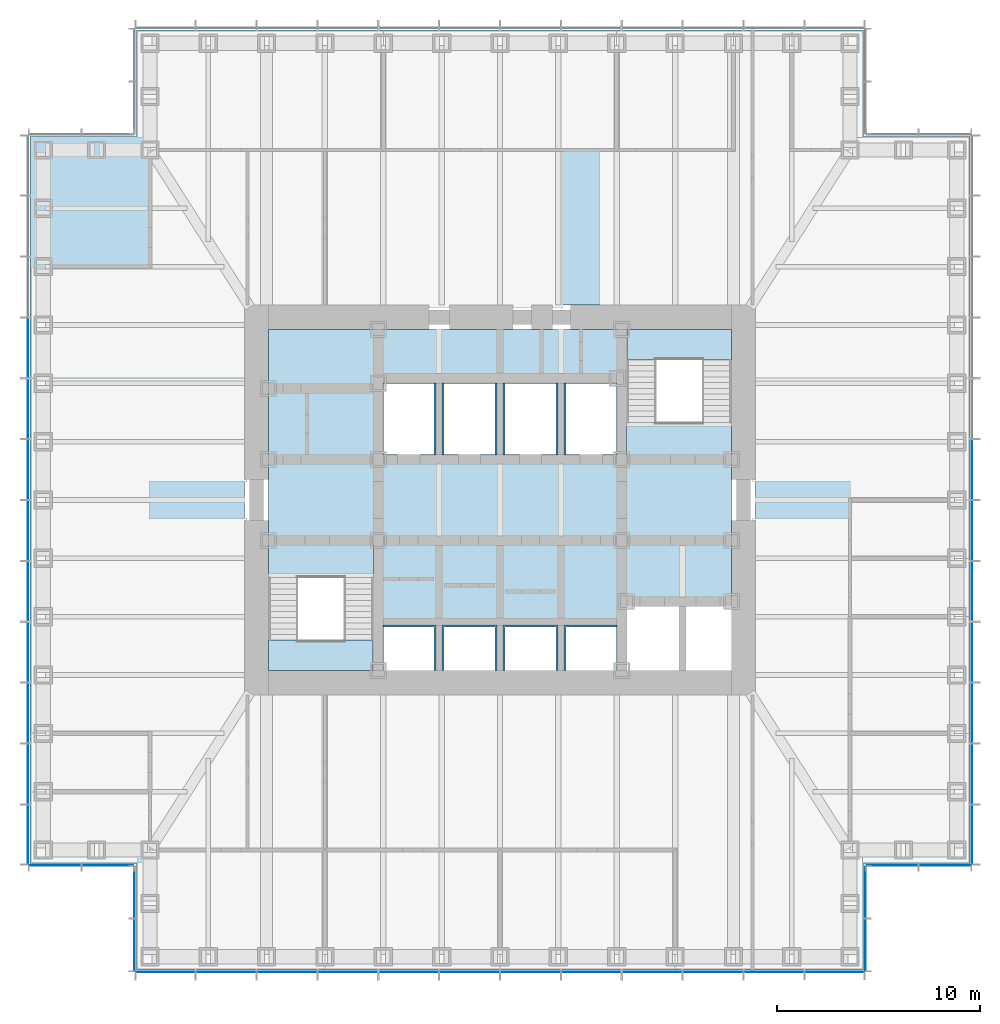
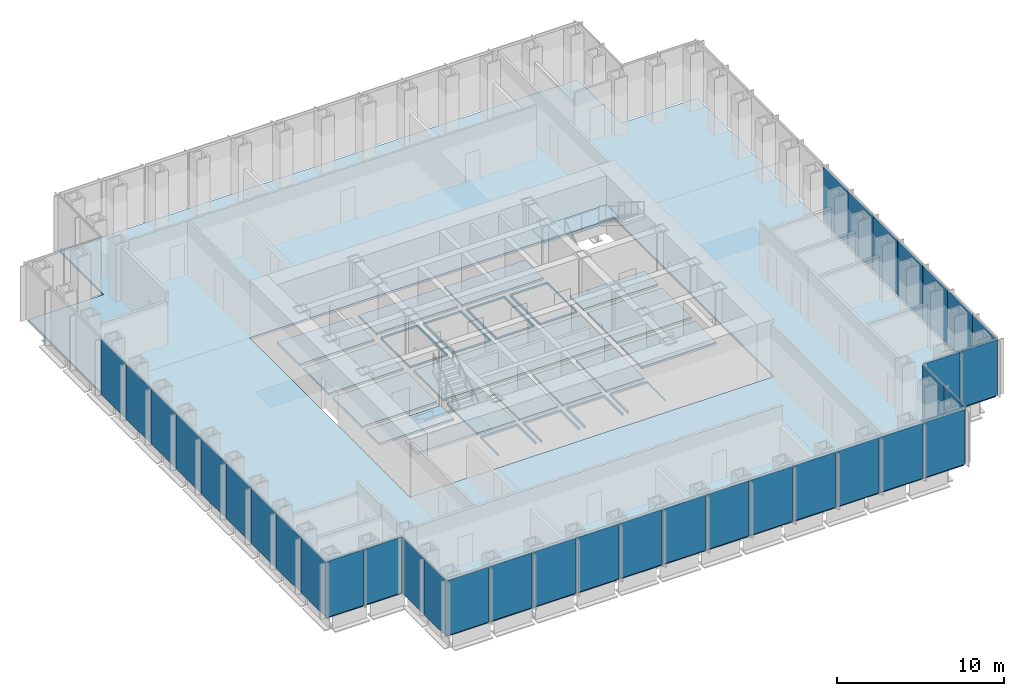
# One storey, part 7 of 17: 36 plates, 25 slabs, 9 elements without a shape of their own.
"""IFC4 building model written with IfcOpenShell, lengths in metres."""

from ifc_helpers import new_model, si_unit, direction, frame, origin, origin_2d, place, context, subcontext, project, spatial, polyline, rectangle, outline, extrude, material, layer, layer_set, type_object, element, aggregate, save


model = new_model("IFC4")

# Units and contexts
model_context = context("Model", 3, precision=1e-05, world=origin(), true_north=direction((0.0, 1.0)))
body_context = subcontext(model_context, "Body", "Model", "MODEL_VIEW")
ifc_project = project(units=[si_unit("LENGTHUNIT", "METRE"), si_unit("AREAUNIT", "SQUARE_METRE"), si_unit("VOLUMEUNIT", "CUBIC_METRE"), si_unit("PLANEANGLEUNIT", "RADIAN"), si_unit("MASSUNIT", "GRAM", prefix="KILO")], contexts=[model_context])

# Site, building, storey
site_placement = place(None, origin())
site = spatial("IfcSite", under=ifc_project, at=site_placement, CompositionType="ELEMENT")
building_placement = place(site_placement, origin())
building = spatial("IfcBuilding", under=site, at=building_placement, Name="Daluyong Arena Tower", CompositionType="ELEMENT")
storey_placement = place(building_placement, frame((0.0, 0.0, 171.10009765625)))
storey = spatial("IfcBuildingStorey", under=building, at=storey_placement, Name="L38", CompositionType="ELEMENT", Elevation=171.10009765625)

# Curtain wall, plates
ifc_material_1 = material(Name="Bronze anodised aluminium and glass", Category="aluminium")
curtain_wall_type_1 = type_object("IfcCurtainWallType", Name="Curtain wall CW2", PredefinedType="USERDEFINED", material=ifc_material_1)
curtain_wall_1_placement = place(storey_placement, origin())
curtain_wall_1 = element("IfcCurtainWall", 1, at=curtain_wall_1_placement, inside=storey, type_object=curtain_wall_type_1, Name="curtain wall L38 S", ObjectType="UNITISED CURTAIN WALL", PredefinedType="USERDEFINED")
ifc_material_2 = material(Name="Tinted double glazed unit", Category="glass")
ifc_layer_1 = layer(ifc_material_2, 0.031982421875)
ifc_layer_set_1 = layer_set([ifc_layer_1], Name="Tinted double glazed unit")
plate_type_1 = type_object("IfcPlateType", Name="CW2 panel 32", PredefinedType="CURTAIN_PANEL", material=ifc_layer_set_1)
plate_1_placement = place(storey_placement, frame((39.52001953125, 56.75, 0.0), z_axis=(0.0, 0.0, 1.0), x_axis=(1.0, 0.0, 0.0)))
plate_1 = element("IfcPlate", 2, at=plate_1_placement, type_object=plate_type_1, Name="curtain wall L38 S panel 1", PredefinedType="CURTAIN_PANEL", context=body_context, shape_type="SweptSolid", body=[
    extrude(rectangle(XDim=2.8798828125, YDim=0.031982421875, at=origin_2d()), origin(), (0.0, 0.0, 1.0), 4.02001953125),
])
plate_2_placement = place(storey_placement, frame((42.5, 56.75, 0.0), z_axis=(0.0, 0.0, 1.0), x_axis=(1.0, 0.0, 0.0)))
plate_2 = element("IfcPlate", 3, at=plate_2_placement, type_object=plate_type_1, Name="curtain wall L38 S panel 2", PredefinedType="CURTAIN_PANEL", context=body_context, shape_type="SweptSolid", body=[
    extrude(rectangle(XDim=2.919921875, YDim=0.031982421875, at=origin_2d()), origin(), (0.0, 0.0, 1.0), 4.02001953125),
])
plate_3_placement = place(storey_placement, frame((45.5, 56.75, 0.0), z_axis=(0.0, 0.0, 1.0), x_axis=(1.0, 0.0, 0.0)))
plate_3 = element("IfcPlate", 4, at=plate_3_placement, type_object=plate_type_1, Name="curtain wall L38 S panel 3", PredefinedType="CURTAIN_PANEL", context=body_context, shape_type="SweptSolid", body=[
    extrude(rectangle(XDim=2.919921875, YDim=0.031982421875, at=origin_2d()), origin(), (0.0, 0.0, 1.0), 4.02001953125),
])
plate_4_placement = place(storey_placement, frame((48.5, 56.75, 0.0), z_axis=(0.0, 0.0, 1.0), x_axis=(1.0, 0.0, 0.0)))
plate_4 = element("IfcPlate", 5, at=plate_4_placement, type_object=plate_type_1, Name="curtain wall L38 S panel 4", PredefinedType="CURTAIN_PANEL", context=body_context, shape_type="SweptSolid", body=[
    extrude(rectangle(XDim=2.919921875, YDim=0.031982421875, at=origin_2d()), origin(), (0.0, 0.0, 1.0), 4.02001953125),
])
plate_5_placement = place(storey_placement, frame((51.5, 56.75, 0.0), z_axis=(0.0, 0.0, 1.0), x_axis=(1.0, 0.0, 0.0)))
plate_5 = element("IfcPlate", 6, at=plate_5_placement, type_object=plate_type_1, Name="curtain wall L38 S panel 5", PredefinedType="CURTAIN_PANEL", context=body_context, shape_type="SweptSolid", body=[
    extrude(rectangle(XDim=2.919921875, YDim=0.031982421875, at=origin_2d()), origin(), (0.0, 0.0, 1.0), 4.02001953125),
])
plate_6_placement = place(storey_placement, frame((54.5, 56.75, 0.0), z_axis=(0.0, 0.0, 1.0), x_axis=(1.0, 0.0, 0.0)))
plate_6 = element("IfcPlate", 7, at=plate_6_placement, type_object=plate_type_1, Name="curtain wall L38 S panel 6", PredefinedType="CURTAIN_PANEL", context=body_context, shape_type="SweptSolid", body=[
    extrude(rectangle(XDim=2.919921875, YDim=0.031982421875, at=origin_2d()), origin(), (0.0, 0.0, 1.0), 4.02001953125),
])
plate_7_placement = place(storey_placement, frame((57.5, 56.75, 0.0), z_axis=(0.0, 0.0, 1.0), x_axis=(1.0, 0.0, 0.0)))
plate_7 = element("IfcPlate", 8, at=plate_7_placement, type_object=plate_type_1, Name="curtain wall L38 S panel 7", PredefinedType="CURTAIN_PANEL", context=body_context, shape_type="SweptSolid", body=[
    extrude(rectangle(XDim=2.919921875, YDim=0.031982421875, at=origin_2d()), origin(), (0.0, 0.0, 1.0), 4.02001953125),
])
plate_8_placement = place(storey_placement, frame((60.5, 56.75, 0.0), z_axis=(0.0, 0.0, 1.0), x_axis=(1.0, 0.0, 0.0)))
plate_8 = element("IfcPlate", 9, at=plate_8_placement, type_object=plate_type_1, Name="curtain wall L38 S panel 8", PredefinedType="CURTAIN_PANEL", context=body_context, shape_type="SweptSolid", body=[
    extrude(rectangle(XDim=2.919921875, YDim=0.031982421875, at=origin_2d()), origin(), (0.0, 0.0, 1.0), 4.02001953125),
])
plate_9_placement = place(storey_placement, frame((63.5, 56.75, 0.0), z_axis=(0.0, 0.0, 1.0), x_axis=(1.0, 0.0, 0.0)))
plate_9 = element("IfcPlate", 10, at=plate_9_placement, type_object=plate_type_1, Name="curtain wall L38 S panel 9", PredefinedType="CURTAIN_PANEL", context=body_context, shape_type="SweptSolid", body=[
    extrude(rectangle(XDim=2.919921875, YDim=0.031982421875, at=origin_2d()), origin(), (0.0, 0.0, 1.0), 4.02001953125),
])
plate_10_placement = place(storey_placement, frame((66.5, 56.75, 0.0), z_axis=(0.0, 0.0, 1.0), x_axis=(1.0, 0.0, 0.0)))
plate_10 = element("IfcPlate", 11, at=plate_10_placement, type_object=plate_type_1, Name="curtain wall L38 S panel 10", PredefinedType="CURTAIN_PANEL", context=body_context, shape_type="SweptSolid", body=[
    extrude(rectangle(XDim=2.919921875, YDim=0.031982421875, at=origin_2d()), origin(), (0.0, 0.0, 1.0), 4.02001953125),
])
plate_11_placement = place(storey_placement, frame((69.5, 56.75, 0.0), z_axis=(0.0, 0.0, 1.0), x_axis=(1.0, 0.0, 0.0)))
plate_11 = element("IfcPlate", 12, at=plate_11_placement, type_object=plate_type_1, Name="curtain wall L38 S panel 11", PredefinedType="CURTAIN_PANEL", context=body_context, shape_type="SweptSolid", body=[
    extrude(rectangle(XDim=2.919921875, YDim=0.031982421875, at=origin_2d()), origin(), (0.0, 0.0, 1.0), 4.02001953125),
])
plate_12_placement = place(storey_placement, frame((72.47998046875, 56.75, 0.0), z_axis=(0.0, 0.0, 1.0), x_axis=(1.0, 0.0, 0.0)))
plate_12 = element("IfcPlate", 13, at=plate_12_placement, type_object=plate_type_1, Name="curtain wall L38 S panel 12", PredefinedType="CURTAIN_PANEL", context=body_context, shape_type="SweptSolid", body=[
    extrude(rectangle(XDim=2.8798828125, YDim=0.031982421875, at=origin_2d()), origin(), (0.0, 0.0, 1.0), 4.02001953125),
])
aggregate(curtain_wall_1, [plate_1, plate_2, plate_3, plate_4, plate_5, plate_6, plate_7, plate_8, plate_9, plate_10, plate_11, plate_12])

curtain_wall_2_placement = place(storey_placement, origin())
curtain_wall_2 = element("IfcCurtainWall", 14, at=curtain_wall_2_placement, inside=storey, type_object=curtain_wall_type_1, Name="curtain wall L38 E", ObjectType="UNITISED CURTAIN WALL", PredefinedType="USERDEFINED")
plate_13_placement = place(storey_placement, frame((79.25, 63.52001953125, 0.0), z_axis=(0.0, 0.0, 1.0), x_axis=(0.0, 1.0, 0.0)))
plate_13 = element("IfcPlate", 15, at=plate_13_placement, type_object=plate_type_1, Name="curtain wall L38 E panel 1", PredefinedType="CURTAIN_PANEL", context=body_context, shape_type="SweptSolid", body=[
    extrude(rectangle(XDim=2.8798828125, YDim=0.031982421875, at=origin_2d()), origin(), (0.0, 0.0, 1.0), 4.02001953125),
])
plate_14_placement = place(storey_placement, frame((79.25, 66.5, 0.0), z_axis=(0.0, 0.0, 1.0), x_axis=(0.0, 1.0, 0.0)))
plate_14 = element("IfcPlate", 16, at=plate_14_placement, type_object=plate_type_1, Name="curtain wall L38 E panel 2", PredefinedType="CURTAIN_PANEL", context=body_context, shape_type="SweptSolid", body=[
    extrude(rectangle(XDim=2.919921875, YDim=0.031982421875, at=origin_2d()), origin(), (0.0, 0.0, 1.0), 4.02001953125),
])
plate_15_placement = place(storey_placement, frame((79.25, 69.5, 0.0), z_axis=(0.0, 0.0, 1.0), x_axis=(0.0, 1.0, 0.0)))
plate_15 = element("IfcPlate", 17, at=plate_15_placement, type_object=plate_type_1, Name="curtain wall L38 E panel 3", PredefinedType="CURTAIN_PANEL", context=body_context, shape_type="SweptSolid", body=[
    extrude(rectangle(XDim=2.919921875, YDim=0.031982421875, at=origin_2d()), origin(), (0.0, 0.0, 1.0), 4.02001953125),
])
plate_16_placement = place(storey_placement, frame((79.25, 72.5, 0.0), z_axis=(0.0, 0.0, 1.0), x_axis=(0.0, 1.0, 0.0)))
plate_16 = element("IfcPlate", 18, at=plate_16_placement, type_object=plate_type_1, Name="curtain wall L38 E panel 4", PredefinedType="CURTAIN_PANEL", context=body_context, shape_type="SweptSolid", body=[
    extrude(rectangle(XDim=2.919921875, YDim=0.031982421875, at=origin_2d()), origin(), (0.0, 0.0, 1.0), 4.02001953125),
])
plate_17_placement = place(storey_placement, frame((79.25, 75.5, 0.0), z_axis=(0.0, 0.0, 1.0), x_axis=(0.0, 1.0, 0.0)))
plate_17 = element("IfcPlate", 19, at=plate_17_placement, type_object=plate_type_1, Name="curtain wall L38 E panel 5", PredefinedType="CURTAIN_PANEL", context=body_context, shape_type="SweptSolid", body=[
    extrude(rectangle(XDim=2.919921875, YDim=0.031982421875, at=origin_2d()), origin(), (0.0, 0.0, 1.0), 4.02001953125),
])
plate_18_placement = place(storey_placement, frame((79.25, 78.5, 0.0), z_axis=(0.0, 0.0, 1.0), x_axis=(0.0, 1.0, 0.0)))
plate_18 = element("IfcPlate", 20, at=plate_18_placement, type_object=plate_type_1, Name="curtain wall L38 E panel 6", PredefinedType="CURTAIN_PANEL", context=body_context, shape_type="SweptSolid", body=[
    extrude(rectangle(XDim=2.919921875, YDim=0.031982421875, at=origin_2d()), origin(), (0.0, 0.0, 1.0), 4.02001953125),
])
plate_19_placement = place(storey_placement, frame((79.25, 81.5, 0.0), z_axis=(0.0, 0.0, 1.0), x_axis=(0.0, 1.0, 0.0)))
plate_19 = element("IfcPlate", 21, at=plate_19_placement, type_object=plate_type_1, Name="curtain wall L38 E panel 7", PredefinedType="CURTAIN_PANEL", context=body_context, shape_type="SweptSolid", body=[
    extrude(rectangle(XDim=2.919921875, YDim=0.031982421875, at=origin_2d()), origin(), (0.0, 0.0, 1.0), 4.02001953125),
])
aggregate(curtain_wall_2, [plate_13, plate_14, plate_15, plate_16, plate_17, plate_18, plate_19])

curtain_wall_3_placement = place(storey_placement, origin())
curtain_wall_3 = element("IfcCurtainWall", 22, at=curtain_wall_3_placement, inside=storey, type_object=curtain_wall_type_1, Name="curtain wall L38 W", ObjectType="UNITISED CURTAIN WALL", PredefinedType="USERDEFINED")
plate_20_placement = place(storey_placement, frame((32.75, 87.5, 0.0), z_axis=(0.0, 0.0, 1.0), x_axis=(0.0, -1.0, 0.0)))
plate_20 = element("IfcPlate", 23, at=plate_20_placement, type_object=plate_type_1, Name="curtain wall L38 W panel 4", PredefinedType="CURTAIN_PANEL", context=body_context, shape_type="SweptSolid", body=[
    extrude(rectangle(XDim=2.919921875, YDim=0.031982421875, at=origin_2d()), origin(), (0.0, 0.0, 1.0), 4.02001953125),
])
plate_21_placement = place(storey_placement, frame((32.75, 84.5, 0.0), z_axis=(0.0, 0.0, 1.0), x_axis=(0.0, -1.0, 0.0)))
plate_21 = element("IfcPlate", 24, at=plate_21_placement, type_object=plate_type_1, Name="curtain wall L38 W panel 5", PredefinedType="CURTAIN_PANEL", context=body_context, shape_type="SweptSolid", body=[
    extrude(rectangle(XDim=2.919921875, YDim=0.031982421875, at=origin_2d()), origin(), (0.0, 0.0, 1.0), 4.02001953125),
])
plate_22_placement = place(storey_placement, frame((32.75, 81.5, 0.0), z_axis=(0.0, 0.0, 1.0), x_axis=(0.0, -1.0, 0.0)))
plate_22 = element("IfcPlate", 25, at=plate_22_placement, type_object=plate_type_1, Name="curtain wall L38 W panel 6", PredefinedType="CURTAIN_PANEL", context=body_context, shape_type="SweptSolid", body=[
    extrude(rectangle(XDim=2.919921875, YDim=0.031982421875, at=origin_2d()), origin(), (0.0, 0.0, 1.0), 4.02001953125),
])
plate_23_placement = place(storey_placement, frame((32.75, 78.5, 0.0), z_axis=(0.0, 0.0, 1.0), x_axis=(0.0, -1.0, 0.0)))
plate_23 = element("IfcPlate", 26, at=plate_23_placement, type_object=plate_type_1, Name="curtain wall L38 W panel 7", PredefinedType="CURTAIN_PANEL", context=body_context, shape_type="SweptSolid", body=[
    extrude(rectangle(XDim=2.919921875, YDim=0.031982421875, at=origin_2d()), origin(), (0.0, 0.0, 1.0), 4.02001953125),
])
plate_24_placement = place(storey_placement, frame((32.75, 75.5, 0.0), z_axis=(0.0, 0.0, 1.0), x_axis=(0.0, -1.0, 0.0)))
plate_24 = element("IfcPlate", 27, at=plate_24_placement, type_object=plate_type_1, Name="curtain wall L38 W panel 8", PredefinedType="CURTAIN_PANEL", context=body_context, shape_type="SweptSolid", body=[
    extrude(rectangle(XDim=2.919921875, YDim=0.031982421875, at=origin_2d()), origin(), (0.0, 0.0, 1.0), 4.02001953125),
])
plate_25_placement = place(storey_placement, frame((32.75, 72.5, 0.0), z_axis=(0.0, 0.0, 1.0), x_axis=(0.0, -1.0, 0.0)))
plate_25 = element("IfcPlate", 28, at=plate_25_placement, type_object=plate_type_1, Name="curtain wall L38 W panel 9", PredefinedType="CURTAIN_PANEL", context=body_context, shape_type="SweptSolid", body=[
    extrude(rectangle(XDim=2.919921875, YDim=0.031982421875, at=origin_2d()), origin(), (0.0, 0.0, 1.0), 4.02001953125),
])
plate_26_placement = place(storey_placement, frame((32.75, 69.5, 0.0), z_axis=(0.0, 0.0, 1.0), x_axis=(0.0, -1.0, 0.0)))
plate_26 = element("IfcPlate", 29, at=plate_26_placement, type_object=plate_type_1, Name="curtain wall L38 W panel 10", PredefinedType="CURTAIN_PANEL", context=body_context, shape_type="SweptSolid", body=[
    extrude(rectangle(XDim=2.919921875, YDim=0.031982421875, at=origin_2d()), origin(), (0.0, 0.0, 1.0), 4.02001953125),
])
plate_27_placement = place(storey_placement, frame((32.75, 66.5, 0.0), z_axis=(0.0, 0.0, 1.0), x_axis=(0.0, -1.0, 0.0)))
plate_27 = element("IfcPlate", 30, at=plate_27_placement, type_object=plate_type_1, Name="curtain wall L38 W panel 11", PredefinedType="CURTAIN_PANEL", context=body_context, shape_type="SweptSolid", body=[
    extrude(rectangle(XDim=2.919921875, YDim=0.031982421875, at=origin_2d()), origin(), (0.0, 0.0, 1.0), 4.02001953125),
])
plate_28_placement = place(storey_placement, frame((32.75, 63.52001953125, 0.0), z_axis=(0.0, 0.0, 1.0), x_axis=(0.0, -1.0, 0.0)))
plate_28 = element("IfcPlate", 31, at=plate_28_placement, type_object=plate_type_1, Name="curtain wall L38 W panel 12", PredefinedType="CURTAIN_PANEL", context=body_context, shape_type="SweptSolid", body=[
    extrude(rectangle(XDim=2.8798828125, YDim=0.031982421875, at=origin_2d()), origin(), (0.0, 0.0, 1.0), 4.02001953125),
])
aggregate(curtain_wall_3, [plate_20, plate_21, plate_22, plate_23, plate_24, plate_25, plate_26, plate_27, plate_28])

ifc_material_3 = material(Name="Bronze anodised aluminium and glass", Category="aluminium")
curtain_wall_type_2 = type_object("IfcCurtainWallType", Name="Curtain wall CW7", PredefinedType="USERDEFINED", material=ifc_material_3)
curtain_wall_4_placement = place(storey_placement, origin())
curtain_wall_4 = element("IfcCurtainWall", 32, at=curtain_wall_4_placement, inside=storey, type_object=curtain_wall_type_2, Name="curtain wall L38 SE-E", ObjectType="UNITISED CURTAIN WALL", PredefinedType="USERDEFINED")
ifc_material_4 = material(Name="Tinted double glazed unit", Category="glass")
ifc_layer_2 = layer(ifc_material_4, 0.028076171875)
ifc_layer_set_2 = layer_set([ifc_layer_2], Name="Tinted double glazed unit")
plate_type_2 = type_object("IfcPlateType", Name="CW7 panel 28", PredefinedType="CURTAIN_PANEL", material=ifc_layer_set_2)
plate_29_placement = place(storey_placement, frame((74.0, 58.077392578125, -0.000244140625), z_axis=(0.0, 0.0, 1.0), x_axis=(0.0, 1.0, 0.0)))
plate_29 = element("IfcPlate", 33, at=plate_29_placement, type_object=plate_type_2, Name="curtain wall L38 SE-E panel 1", PredefinedType="CURTAIN_PANEL", context=body_context, shape_type="SweptSolid", body=[
    extrude(rectangle(XDim=2.534912109375, YDim=0.028076171875, at=origin_2d()), origin(), (0.0, 0.0, 1.0), 4.080078125),
])
plate_30_placement = place(storey_placement, frame((74.0, 60.672607421875, -0.000244140625), z_axis=(0.0, 0.0, 1.0), x_axis=(0.0, 1.0, 0.0)))
plate_30 = element("IfcPlate", 34, at=plate_30_placement, type_object=plate_type_2, Name="curtain wall L38 SE-E panel 2", PredefinedType="CURTAIN_PANEL", context=body_context, shape_type="SweptSolid", body=[
    extrude(rectangle(XDim=2.534912109375, YDim=0.028076171875, at=origin_2d()), origin(), (0.0, 0.0, 1.0), 4.080078125),
])
aggregate(curtain_wall_4, [plate_29, plate_30])

curtain_wall_5_placement = place(storey_placement, origin())
curtain_wall_5 = element("IfcCurtainWall", 35, at=curtain_wall_5_placement, inside=storey, type_object=curtain_wall_type_2, Name="curtain wall L38 SE-S", ObjectType="UNITISED CURTAIN WALL", PredefinedType="USERDEFINED")
plate_31_placement = place(storey_placement, frame((75.327392578125, 62.0, -0.000244140625), z_axis=(0.0, 0.0, 1.0), x_axis=(1.0, 0.0, 0.0)))
plate_31 = element("IfcPlate", 36, at=plate_31_placement, type_object=plate_type_2, Name="curtain wall L38 SE-S panel 1", PredefinedType="CURTAIN_PANEL", context=body_context, shape_type="SweptSolid", body=[
    extrude(rectangle(XDim=2.534912109375, YDim=0.028076171875, at=origin_2d()), origin(), (0.0, 0.0, 1.0), 4.080078125),
])
plate_32_placement = place(storey_placement, frame((77.922607421875, 62.0, -0.000244140625), z_axis=(0.0, 0.0, 1.0), x_axis=(1.0, 0.0, 0.0)))
plate_32 = element("IfcPlate", 37, at=plate_32_placement, type_object=plate_type_2, Name="curtain wall L38 SE-S panel 2", PredefinedType="CURTAIN_PANEL", context=body_context, shape_type="SweptSolid", body=[
    extrude(rectangle(XDim=2.534912109375, YDim=0.028076171875, at=origin_2d()), origin(), (0.0, 0.0, 1.0), 4.080078125),
])
aggregate(curtain_wall_5, [plate_31, plate_32])

curtain_wall_6_placement = place(storey_placement, origin())
curtain_wall_6 = element("IfcCurtainWall", 38, at=curtain_wall_6_placement, inside=storey, type_object=curtain_wall_type_2, Name="curtain wall L38 SW-S", ObjectType="UNITISED CURTAIN WALL", PredefinedType="USERDEFINED")
plate_33_placement = place(storey_placement, frame((34.077392578125, 62.0, -0.000244140625), z_axis=(0.0, 0.0, 1.0), x_axis=(1.0, 0.0, 0.0)))
plate_33 = element("IfcPlate", 39, at=plate_33_placement, type_object=plate_type_2, Name="curtain wall L38 SW-S panel 1", PredefinedType="CURTAIN_PANEL", context=body_context, shape_type="SweptSolid", body=[
    extrude(rectangle(XDim=2.534912109375, YDim=0.028076171875, at=origin_2d()), origin(), (0.0, 0.0, 1.0), 4.080078125),
])
plate_34_placement = place(storey_placement, frame((36.672607421875, 62.0, -0.000244140625), z_axis=(0.0, 0.0, 1.0), x_axis=(1.0, 0.0, 0.0)))
plate_34 = element("IfcPlate", 40, at=plate_34_placement, type_object=plate_type_2, Name="curtain wall L38 SW-S panel 2", PredefinedType="CURTAIN_PANEL", context=body_context, shape_type="SweptSolid", body=[
    extrude(rectangle(XDim=2.534912109375, YDim=0.028076171875, at=origin_2d()), origin(), (0.0, 0.0, 1.0), 4.080078125),
])
aggregate(curtain_wall_6, [plate_33, plate_34])

curtain_wall_7_placement = place(storey_placement, origin())
curtain_wall_7 = element("IfcCurtainWall", 41, at=curtain_wall_7_placement, inside=storey, type_object=curtain_wall_type_2, Name="curtain wall L38 SW-W", ObjectType="UNITISED CURTAIN WALL", PredefinedType="USERDEFINED")
plate_35_placement = place(storey_placement, frame((38.0, 60.672607421875, -0.000244140625), z_axis=(0.0, 0.0, 1.0), x_axis=(0.0, -1.0, 0.0)))
plate_35 = element("IfcPlate", 42, at=plate_35_placement, type_object=plate_type_2, Name="curtain wall L38 SW-W panel 1", PredefinedType="CURTAIN_PANEL", context=body_context, shape_type="SweptSolid", body=[
    extrude(rectangle(XDim=2.534912109375, YDim=0.028076171875, at=origin_2d()), origin(), (0.0, 0.0, 1.0), 4.080078125),
])
plate_36_placement = place(storey_placement, frame((38.0, 58.077392578125, -0.000244140625), z_axis=(0.0, 0.0, 1.0), x_axis=(0.0, -1.0, 0.0)))
plate_36 = element("IfcPlate", 43, at=plate_36_placement, type_object=plate_type_2, Name="curtain wall L38 SW-W panel 2", PredefinedType="CURTAIN_PANEL", context=body_context, shape_type="SweptSolid", body=[
    extrude(rectangle(XDim=2.534912109375, YDim=0.028076171875, at=origin_2d()), origin(), (0.0, 0.0, 1.0), 4.080078125),
])
aggregate(curtain_wall_7, [plate_35, plate_36])

# Stair, slab
ifc_material_5 = material(Name="Concrete fc' 35 MPa", Category="concrete")
stair_type = type_object("IfcStairType", Name="Core exit stair", PredefinedType="HALF_TURN_STAIR", material=ifc_material_5)
stair_1_placement = place(storey_placement, origin())
stair_1 = element("IfcStair", 44, at=stair_1_placement, inside=storey, type_object=stair_type, Name="exit stair A L38", PredefinedType="HALF_TURN_STAIR")
ifc_material_6 = material(Name="Concrete fc' 35 MPa", Category="concrete")
ifc_layer_3 = layer(ifc_material_6, 0.199951171875)
ifc_layer_set_3 = layer_set([ifc_layer_3], Name="Concrete fc' 35 MPa")
slab_type_1 = type_object("IfcSlabType", Name="Stair landing 200", PredefinedType="LANDING", material=ifc_layer_set_3)
slab_1_placement = place(storey_placement, frame((0.0, 0.0, 1.89990234375)))
slab_1 = element("IfcSlab", 45, at=slab_1_placement, type_object=slab_type_1, Name="STA landing 1", PredefinedType="LANDING", context=body_context, shape_type="SweptSolid", body=[
    extrude(outline(polyline([(44.60009765625, 71.60009765625), (49.75, 71.60009765625), (49.75, 73.094970703125), (44.60009765625, 73.094970703125), (44.60009765625, 71.60009765625)])), origin(), (0.0, 0.0, 1.0), 0.199951171875),
])
aggregate(stair_1, [slab_1])

stair_2_placement = place(storey_placement, origin())
stair_2 = element("IfcStair", 46, at=stair_2_placement, inside=storey, type_object=stair_type, Name="exit stair B L38", PredefinedType="HALF_TURN_STAIR")
slab_2_placement = place(storey_placement, frame((0.0, 0.0, 1.89990234375)))
slab_2 = element("IfcSlab", 47, at=slab_2_placement, type_object=slab_type_1, Name="STB landing 1", PredefinedType="LANDING", context=body_context, shape_type="SweptSolid", body=[
    extrude(outline(polyline([(62.25, 86.905029296875), (67.39990234375, 86.905029296875), (67.39990234375, 88.39990234375), (62.25, 88.39990234375), (62.25, 86.905029296875)])), origin(), (0.0, 0.0, 1.0), 0.199951171875),
])
aggregate(stair_2, [slab_2])

# Slabs
ifc_material_7 = material(Name="Concrete fc' 35 MPa", Category="concrete")
ifc_layer_4 = layer(ifc_material_7, 0.159912109375)
ifc_layer_set_4 = layer_set([ifc_layer_4], Name="Concrete fc' 35 MPa")
slab_type_2 = type_object("IfcSlabType", Name="Tower floor slab 160", PredefinedType="FLOOR", material=ifc_layer_set_4)
slab_3_placement = place(storey_placement, frame((0.0, 0.0, -0.16015625)))
element("IfcSlab", 48, at=slab_3_placement, inside=storey, type_object=slab_type_2, Name="floor L38 part 1", PredefinedType="FLOOR", context=body_context, shape_type="SweptSolid", body=[
    extrude(outline(polyline([(49.77490234375, 76.175048828125), (49.77490234375, 77.77490234375), (44.60009765625, 77.77490234375), (44.60009765625, 76.175048828125), (49.77490234375, 76.175048828125)])), origin(), (0.0, 0.0, 1.0), 0.16015625),
])
slab_4_placement = place(storey_placement, frame((0.0, 0.0, -0.16015625)))
element("IfcSlab", 49, at=slab_4_placement, inside=storey, type_object=slab_type_2, Name="floor L38 part 2", PredefinedType="FLOOR", context=body_context, shape_type="SweptSolid", body=[
    extrude(outline(polyline([(44.60009765625, 78.22509765625), (49.77490234375, 78.22509765625), (49.77490234375, 81.77490234375), (44.60009765625, 81.77490234375), (44.60009765625, 78.22509765625)])), origin(), (0.0, 0.0, 1.0), 0.16015625),
])
slab_5_placement = place(storey_placement, frame((0.0, 0.0, -0.16015625)))
element("IfcSlab", 50, at=slab_5_placement, inside=storey, type_object=slab_type_2, Name="floor L38 part 3", PredefinedType="FLOOR", context=body_context, shape_type="SweptSolid", body=[
    extrude(outline(polyline([(44.60009765625, 82.22509765625), (49.77490234375, 82.22509765625), (49.77490234375, 85.27490234375), (44.60009765625, 85.27490234375), (44.60009765625, 82.22509765625)])), origin(), (0.0, 0.0, 1.0), 0.16015625),
])
slab_6_placement = place(storey_placement, frame((0.0, 0.0, -0.16015625)))
element("IfcSlab", 51, at=slab_6_placement, inside=storey, type_object=slab_type_2, Name="floor L38 part 4", PredefinedType="FLOOR", context=body_context, shape_type="SweptSolid", body=[
    extrude(outline(polyline([(49.77490234375, 88.39990234375), (44.60009765625, 88.39990234375), (44.60009765625, 85.72509765625), (49.77490234375, 85.72509765625), (49.77490234375, 88.39990234375)])), origin(), (0.0, 0.0, 1.0), 0.16015625),
])
slab_7_placement = place(storey_placement, frame((0.0, 0.0, -0.16015625)))
element("IfcSlab", 52, at=slab_7_placement, inside=storey, type_object=slab_type_2, Name="floor L38 part 5", PredefinedType="FLOOR", context=body_context, shape_type="SweptSolid", body=[
    extrude(outline(polyline([(52.85009765625, 77.77490234375), (50.22509765625, 77.77490234375), (50.22509765625, 74.14990234375), (52.85009765625, 74.14990234375), (52.85009765625, 77.77490234375)])), origin(), (0.0, 0.0, 1.0), 0.16015625),
])
slab_8_placement = place(storey_placement, frame((0.0, 0.0, -0.16015625)))
element("IfcSlab", 53, at=slab_8_placement, inside=storey, type_object=slab_type_2, Name="floor L38 part 6", PredefinedType="FLOOR", context=body_context, shape_type="SweptSolid", body=[
    extrude(outline(polyline([(50.25, 73.75), (52.75, 73.75), (52.75, 71.60009765625), (52.85009765625, 71.60009765625), (52.85009765625, 73.85009765625), (50.22509765625, 73.85009765625), (50.22509765625, 71.60009765625), (50.25, 71.60009765625), (50.25, 73.75)])), origin(), (0.0, 0.0, 1.0), 0.16015625),
])
slab_9_placement = place(storey_placement, frame((0.0, 0.0, -0.16015625)))
element("IfcSlab", 54, at=slab_9_placement, inside=storey, type_object=slab_type_2, Name="floor L38 part 7", PredefinedType="FLOOR", context=body_context, shape_type="SweptSolid", body=[
    extrude(outline(polyline([(52.85009765625, 85.77490234375), (50.22509765625, 85.77490234375), (50.22509765625, 82.22509765625), (52.85009765625, 82.22509765625), (52.85009765625, 85.77490234375)]), holes=[polyline([(50.25, 85.75), (52.75, 85.75), (52.75, 82.25), (50.25, 82.25), (50.25, 85.75)])]), origin(), (0.0, 0.0, 1.0), 0.16015625),
])
slab_10_placement = place(storey_placement, frame((0.0, 0.0, -0.16015625)))
element("IfcSlab", 55, at=slab_10_placement, inside=storey, type_object=slab_type_2, Name="floor L38 part 8", PredefinedType="FLOOR", context=body_context, shape_type="SweptSolid", body=[
    extrude(outline(polyline([(55.85009765625, 88.39990234375), (50.22509765625, 88.39990234375), (50.22509765625, 86.22509765625), (55.85009765625, 86.22509765625), (55.85009765625, 88.39990234375)])), origin(), (0.0, 0.0, 1.0), 0.16015625),
])
slab_11_placement = place(storey_placement, frame((0.0, 0.0, -0.16015625)))
element("IfcSlab", 56, at=slab_11_placement, inside=storey, type_object=slab_type_2, Name="floor L38 part 9", PredefinedType="FLOOR", context=body_context, shape_type="SweptSolid", body=[
    extrude(outline(polyline([(55.75, 73.75), (55.75, 71.60009765625), (55.85009765625, 71.60009765625), (55.85009765625, 73.85009765625), (53.14990234375, 73.85009765625), (53.14990234375, 71.60009765625), (53.25, 71.60009765625), (53.25, 73.75), (55.75, 73.75)])), origin(), (0.0, 0.0, 1.0), 0.16015625),
])
slab_12_placement = place(storey_placement, frame((0.0, 0.0, -0.16015625)))
element("IfcSlab", 57, at=slab_12_placement, inside=storey, type_object=slab_type_2, Name="floor L38 part 10", PredefinedType="FLOOR", context=body_context, shape_type="SweptSolid", body=[
    extrude(outline(polyline([(55.85009765625, 77.77490234375), (53.14990234375, 77.77490234375), (53.14990234375, 74.14990234375), (55.85009765625, 74.14990234375), (55.85009765625, 77.77490234375)])), origin(), (0.0, 0.0, 1.0), 0.16015625),
])
slab_13_placement = place(storey_placement, frame((0.0, 0.0, -0.16015625)))
element("IfcSlab", 58, at=slab_13_placement, inside=storey, type_object=slab_type_2, Name="floor L38 part 11", PredefinedType="FLOOR", context=body_context, shape_type="SweptSolid", body=[
    extrude(outline(polyline([(55.85009765625, 85.77490234375), (53.14990234375, 85.77490234375), (53.14990234375, 82.22509765625), (55.85009765625, 82.22509765625), (55.85009765625, 85.77490234375)]), holes=[polyline([(55.75, 85.75), (55.75, 82.25), (53.25, 82.25), (53.25, 85.75), (55.75, 85.75)])]), origin(), (0.0, 0.0, 1.0), 0.16015625),
])
slab_14_placement = place(storey_placement, frame((0.0, 0.0, -0.16015625)))
element("IfcSlab", 59, at=slab_14_placement, inside=storey, type_object=slab_type_2, Name="floor L38 part 12", PredefinedType="FLOOR", context=body_context, shape_type="SweptSolid", body=[
    extrude(outline(polyline([(38.10009765625, 62.10009765625), (38.10009765625, 56.85009765625), (73.89990234375, 56.85009765625), (73.89990234375, 62.10009765625), (79.14990234375, 62.10009765625), (79.14990234375, 97.89990234375), (73.89990234375, 97.89990234375), (73.89990234375, 103.14990234375), (38.10009765625, 103.14990234375), (38.10009765625, 97.89990234375), (32.85009765625, 97.89990234375), (32.85009765625, 62.10009765625), (38.10009765625, 62.10009765625)]), holes=[polyline([(68.60009765625, 89.60009765625), (68.60009765625, 70.39990234375), (43.39990234375, 70.39990234375), (43.39990234375, 89.60009765625), (68.60009765625, 89.60009765625)])]), origin(), (0.0, 0.0, 1.0), 0.16015625),
])
slab_15_placement = place(storey_placement, frame((0.0, 0.0, -0.16015625)))
element("IfcSlab", 60, at=slab_15_placement, inside=storey, type_object=slab_type_2, Name="floor L38 part 13", PredefinedType="FLOOR", context=body_context, shape_type="SweptSolid", body=[
    extrude(outline(polyline([(61.77490234375, 78.22509765625), (61.77490234375, 81.77490234375), (50.22509765625, 81.77490234375), (50.22509765625, 78.22509765625), (61.77490234375, 78.22509765625)])), origin(), (0.0, 0.0, 1.0), 0.16015625),
])
slab_16_placement = place(storey_placement, frame((0.0, 0.0, -0.16015625)))
element("IfcSlab", 61, at=slab_16_placement, inside=storey, type_object=slab_type_2, Name="floor L38 part 14", PredefinedType="FLOOR", context=body_context, shape_type="SweptSolid", body=[
    extrude(outline(polyline([(58.85009765625, 71.60009765625), (58.85009765625, 73.85009765625), (56.14990234375, 73.85009765625), (56.14990234375, 71.60009765625), (56.25, 71.60009765625), (56.25, 73.75), (58.75, 73.75), (58.75, 71.60009765625), (58.85009765625, 71.60009765625)])), origin(), (0.0, 0.0, 1.0), 0.16015625),
])
slab_17_placement = place(storey_placement, frame((0.0, 0.0, -0.16015625)))
element("IfcSlab", 62, at=slab_17_placement, inside=storey, type_object=slab_type_2, Name="floor L38 part 15", PredefinedType="FLOOR", context=body_context, shape_type="SweptSolid", body=[
    extrude(outline(polyline([(58.85009765625, 77.77490234375), (56.14990234375, 77.77490234375), (56.14990234375, 74.14990234375), (58.85009765625, 74.14990234375), (58.85009765625, 77.77490234375)])), origin(), (0.0, 0.0, 1.0), 0.16015625),
])
slab_18_placement = place(storey_placement, frame((0.0, 0.0, -0.16015625)))
element("IfcSlab", 63, at=slab_18_placement, inside=storey, type_object=slab_type_2, Name="floor L38 part 16", PredefinedType="FLOOR", context=body_context, shape_type="SweptSolid", body=[
    extrude(outline(polyline([(58.85009765625, 85.77490234375), (56.14990234375, 85.77490234375), (56.14990234375, 82.22509765625), (58.85009765625, 82.22509765625), (58.85009765625, 85.77490234375)]), holes=[polyline([(56.25, 85.75), (58.75, 85.75), (58.75, 82.25), (56.25, 82.25), (56.25, 85.75)])]), origin(), (0.0, 0.0, 1.0), 0.16015625),
])
slab_19_placement = place(storey_placement, frame((0.0, 0.0, -0.16015625)))
element("IfcSlab", 64, at=slab_19_placement, inside=storey, type_object=slab_type_2, Name="floor L38 part 17", PredefinedType="FLOOR", context=body_context, shape_type="SweptSolid", body=[
    extrude(outline(polyline([(56.14990234375, 88.39990234375), (56.14990234375, 86.22509765625), (61.77490234375, 86.22509765625), (61.77490234375, 88.39990234375), (56.14990234375, 88.39990234375)])), origin(), (0.0, 0.0, 1.0), 0.16015625),
])
slab_20_placement = place(storey_placement, frame((0.0, 0.0, -0.16015625)))
element("IfcSlab", 65, at=slab_20_placement, inside=storey, type_object=slab_type_2, Name="floor L38 part 18", PredefinedType="FLOOR", context=body_context, shape_type="SweptSolid", body=[
    extrude(outline(polyline([(59.14990234375, 85.77490234375), (59.14990234375, 82.22509765625), (61.77490234375, 82.22509765625), (61.77490234375, 85.77490234375), (59.14990234375, 85.77490234375)]), holes=[polyline([(61.75, 85.75), (61.75, 82.25), (59.25, 82.25), (59.25, 85.75), (61.75, 85.75)])]), origin(), (0.0, 0.0, 1.0), 0.16015625),
])
slab_21_placement = place(storey_placement, frame((0.0, 0.0, -0.16015625)))
element("IfcSlab", 66, at=slab_21_placement, inside=storey, type_object=slab_type_2, Name="floor L38 part 19", PredefinedType="FLOOR", context=body_context, shape_type="SweptSolid", body=[
    extrude(outline(polyline([(61.77490234375, 71.60009765625), (61.77490234375, 73.85009765625), (59.14990234375, 73.85009765625), (59.14990234375, 71.60009765625), (59.25, 71.60009765625), (59.25, 73.75), (61.75, 73.75), (61.75, 71.60009765625), (61.77490234375, 71.60009765625)])), origin(), (0.0, 0.0, 1.0), 0.16015625),
])
slab_22_placement = place(storey_placement, frame((0.0, 0.0, -0.16015625)))
element("IfcSlab", 67, at=slab_22_placement, inside=storey, type_object=slab_type_2, Name="floor L38 part 20", PredefinedType="FLOOR", context=body_context, shape_type="SweptSolid", body=[
    extrude(outline(polyline([(59.14990234375, 77.77490234375), (59.14990234375, 74.14990234375), (61.77490234375, 74.14990234375), (61.77490234375, 77.77490234375), (59.14990234375, 77.77490234375)])), origin(), (0.0, 0.0, 1.0), 0.16015625),
])
slab_23_placement = place(storey_placement, frame((0.0, 0.0, -0.16015625)))
element("IfcSlab", 68, at=slab_23_placement, inside=storey, type_object=slab_type_2, Name="floor L38 part 21", PredefinedType="FLOOR", context=body_context, shape_type="SweptSolid", body=[
    extrude(outline(polyline([(62.22509765625, 75.22509765625), (67.39990234375, 75.22509765625), (67.39990234375, 77.77490234375), (62.22509765625, 77.77490234375), (62.22509765625, 75.22509765625)])), origin(), (0.0, 0.0, 1.0), 0.16015625),
])
slab_24_placement = place(storey_placement, frame((0.0, 0.0, -0.16015625)))
element("IfcSlab", 69, at=slab_24_placement, inside=storey, type_object=slab_type_2, Name="floor L38 part 22", PredefinedType="FLOOR", context=body_context, shape_type="SweptSolid", body=[
    extrude(outline(polyline([(62.22509765625, 78.22509765625), (67.39990234375, 78.22509765625), (67.39990234375, 81.77490234375), (62.22509765625, 81.77490234375), (62.22509765625, 78.22509765625)])), origin(), (0.0, 0.0, 1.0), 0.16015625),
])
slab_25_placement = place(storey_placement, frame((0.0, 0.0, -0.16015625)))
element("IfcSlab", 70, at=slab_25_placement, inside=storey, type_object=slab_type_2, Name="floor L38 part 23", PredefinedType="FLOOR", context=body_context, shape_type="SweptSolid", body=[
    extrude(outline(polyline([(62.22509765625, 82.22509765625), (67.39990234375, 82.22509765625), (67.39990234375, 83.824951171875), (62.22509765625, 83.824951171875), (62.22509765625, 82.22509765625)])), origin(), (0.0, 0.0, 1.0), 0.16015625),
])

save(model, "model.ifc")
